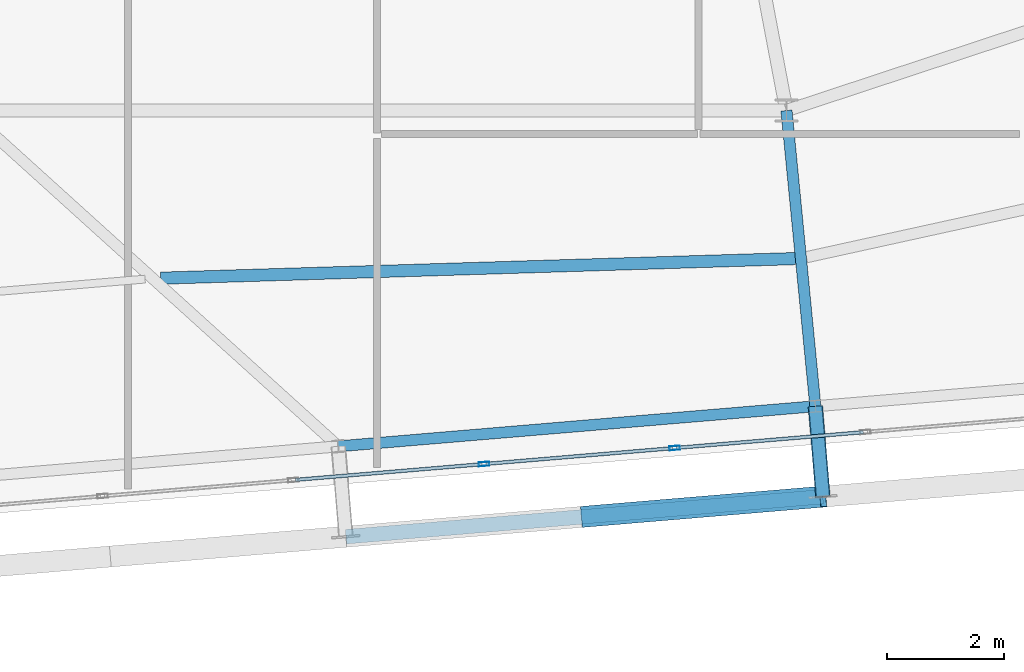
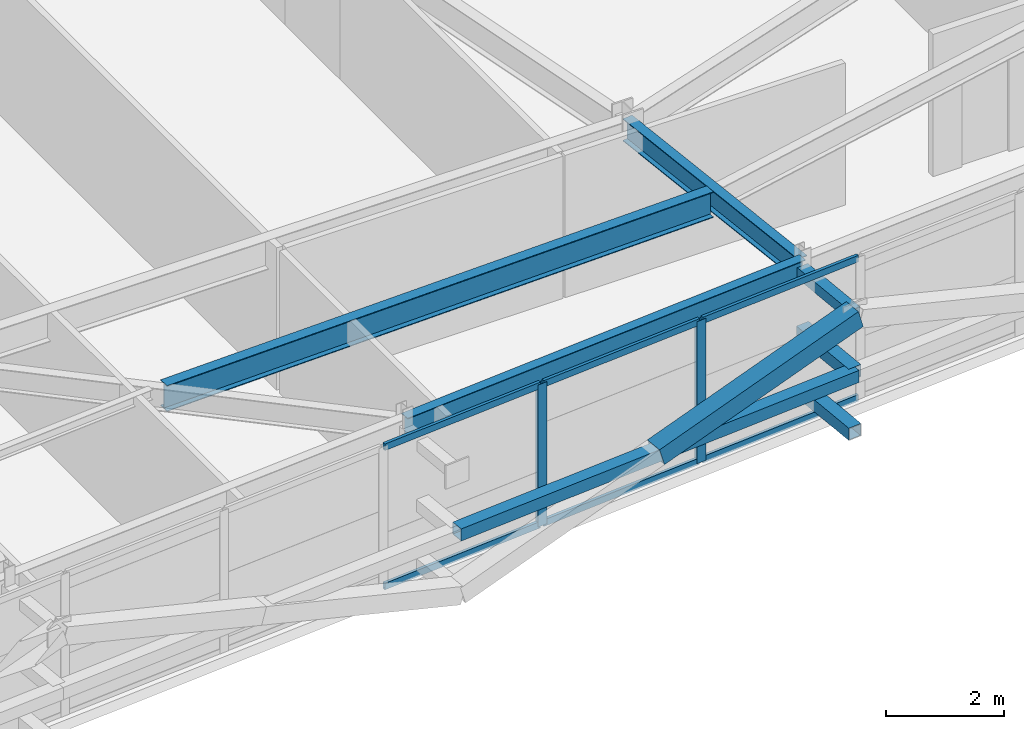
# One storey, part 12 of 44: 13 members, 3 beams, 1 element without a shape of its own.
"""IFC4 building model written with IfcOpenShell, lengths in metres."""

from ifc_helpers import new_model, si_unit, direction, frame, origin, origin_2d, place, context, subcontext, project, spatial, hollow_rectangle, i_section, extrude, source, transform, mapped, material, layer, layer_set, material_profile, profile_set, type_object, element, aggregate, save


model = new_model("IFC4")

# Units and contexts
model_context = context("Model", 3, precision=1e-05, world=origin(), true_north=direction((0.0, 1.0)))
body_context = subcontext(model_context, "Body", "Model", "MODEL_VIEW")
ifc_project = project(units=[si_unit("LENGTHUNIT", "METRE"), si_unit("AREAUNIT", "SQUARE_METRE"), si_unit("VOLUMEUNIT", "CUBIC_METRE"), si_unit("PLANEANGLEUNIT", "RADIAN"), si_unit("MASSUNIT", "GRAM", prefix="KILO")], contexts=[model_context])

# Site, building, storey
site_placement = place(None, origin())
site = spatial("IfcSite", under=ifc_project, at=site_placement, CompositionType="ELEMENT")
building_placement = place(site_placement, origin())
building = spatial("IfcBuilding", under=site, at=building_placement, Name="Taldren Reach Tower", CompositionType="ELEMENT")
storey_placement = place(building_placement, frame((0.0, 0.0, 191.449951171875)))
storey = spatial("IfcBuildingStorey", under=building, at=storey_placement, Name="L58", CompositionType="ELEMENT", Elevation=191.449951171875)

# Members
ifc_material_1 = material(Name="Steel Gr 350 (C350L0)", Category="steel")
ifc_material_profile_1 = material_profile(ifc_material_1, hollow_rectangle(XDim=0.25, YDim=0.25, WallThickness=0.010009765625, at=origin_2d()), Name="250x250x10.0SHS")
ifc_profile_set_1 = profile_set([ifc_material_profile_1], Name="Steel Gr 350 (C350L0)")
member_type_1 = type_object("IfcMemberType", Name="MB-POST250", PredefinedType="POST", material=ifc_profile_set_1)
shared_shape_1 = source(origin(), body_context, "Body", "SweptSolid", [
    extrude(hollow_rectangle(XDim=0.25, YDim=0.25, WallThickness=0.010009765625, at=origin_2d()), origin(), (0.0, 0.0, 1.0), 1.5498046875),
])
for number, where, z_axis, x_axis, name in (
    (1, (42.49365234375, 4.1474609375, 0.219970703125), (0.083645141657, -0.996495604746, 0.0), (0.996495604746, 0.083645141657, 0.0), "Exoskeleton base diaphragm tie strut B4-S4 L58"),
    (2, (42.49365234375, 4.1474609375, 1.43505859375), (0.083645141657, -0.996495604746, 0.0), (0.996495604746, 0.083645141657, 0.0), "Exoskeleton mid-tier diaphragm tie B4-S4 L58"),
):
    element("IfcMember", number, at=place(storey_placement, frame(where, z_axis=z_axis, x_axis=x_axis)), inside=storey, type_object=member_type_1, Name=name, PredefinedType="POST", context=body_context, shape_type="MappedRepresentation", body=[
        mapped(shared_shape_1, transform((0.0, 0.0, 0.0), scale=1.0)),
    ])

# Beams
ifc_material_2 = material(Name="Steel Gr 350 (350PLUS)", Category="steel")
ifc_material_profile_2 = material_profile(ifc_material_2, i_section(OverallWidth=0.18994140625, OverallDepth=0.4541015625, WebThickness=0.008544921875, FlangeThickness=0.0126953125, at=origin_2d()), Name="460UB67.1")
ifc_profile_set_2 = profile_set([ifc_material_profile_2], Name="Steel Gr 350 (350PLUS)")
beam_type_1 = type_object("IfcBeamType", Name="SP-UB460B", PredefinedType="SPANDREL", material=ifc_profile_set_2)
shared_shape_2 = source(origin(), body_context, "Body", "SweptSolid", [
    extrude(i_section(OverallWidth=0.18994140625, OverallDepth=0.4541015625, WebThickness=0.008544921875, FlangeThickness=0.0126953125, at=origin_2d()), origin(), (0.0, 0.0, 1.0), 8.18017578125),
])
beam_1_placement = place(storey_placement, frame((34.34228515625, 3.462890625, 2.703125), z_axis=(0.996492034688, 0.083687662192, 0.0), x_axis=(-0.083687662192, 0.996492034688, 0.0)))
element("IfcBeam", 3, at=beam_1_placement, inside=storey, type_object=beam_type_1, Name="Perimeter spandrel B4 S3-S4 L58", PredefinedType="SPANDREL", context=body_context, shape_type="MappedRepresentation", body=[
    mapped(shared_shape_2, transform((0.0, 0.0, 0.0), scale=1.0)),
])
ifc_material_profile_3 = material_profile(ifc_material_2, i_section(OverallWidth=0.19091796875, OverallDepth=0.4599609375, WebThickness=0.010009765625, FlangeThickness=0.01611328125, at=origin_2d()), Name="460UB82.1")
ifc_profile_set_3 = profile_set([ifc_material_profile_3], Name="Steel Gr 350 (350PLUS)")
beam_type_2 = type_object("IfcBeamType", Name="BM-UB460A", PredefinedType="BEAM", material=ifc_profile_set_3)
shared_shape_3 = source(origin(), body_context, "Body", "SweptSolid", [
    extrude(i_section(OverallWidth=0.19091796875, OverallDepth=0.4599609375, WebThickness=0.010009765625, FlangeThickness=0.01611328125, at=origin_2d()), origin(), (0.0, 0.0, 1.0), 5.07666015625),
])
beam_2_placement = place(storey_placement, frame((42.0, 9.199951171875, 2.699951171875), z_axis=(0.097241716644, -0.995260794236, 0.0), x_axis=(0.995260794236, 0.097241716644, 0.0)))
element("IfcBeam", 4, at=beam_2_placement, inside=storey, type_object=beam_type_2, Name="Primary floor girder B4-S4 L58", PredefinedType="BEAM", context=body_context, shape_type="MappedRepresentation", body=[
    mapped(shared_shape_3, transform((0.0, 0.0, 0.0), scale=1.0)),
])
ifc_material_profile_4 = material_profile(ifc_material_2, i_section(OverallWidth=0.208984375, OverallDepth=0.532958984375, WebThickness=0.01025390625, FlangeThickness=0.015625, at=origin_2d()), Name="530UB92.4")
ifc_profile_set_4 = profile_set([ifc_material_profile_4], Name="Steel Gr 350 (350PLUS)")
beam_type_3 = type_object("IfcBeamType", Name="BM-UB530A", PredefinedType="BEAM", material=ifc_profile_set_4)
shared_shape_4 = source(origin(), body_context, "Body", "SweptSolid", [
    extrude(i_section(OverallWidth=0.208984375, OverallDepth=0.532958984375, WebThickness=0.01025390625, FlangeThickness=0.015625, at=origin_2d()), origin(), (0.0, 0.0, 1.0), 10.847412109375),
])
beam_3_placement = place(storey_placement, frame((31.308837890625, 6.335693359375, 2.66357421875), z_axis=(0.999522428572, 0.030901695439, 0.0), x_axis=(-0.030901695439, 0.999522428572, 0.0)))
element("IfcBeam", 5, at=beam_3_placement, inside=storey, type_object=beam_type_3, Name="Secondary floor beam B4 J3 L58", PredefinedType="BEAM", context=body_context, shape_type="MappedRepresentation", body=[
    mapped(shared_shape_4, transform((0.0, 0.0, 0.0), scale=1.0)),
])

# Members
ifc_material_3 = material(Name="Steel Gr 450 (C450L0)", Category="steel")
ifc_material_profile_5 = material_profile(ifc_material_3, hollow_rectangle(XDim=0.219970703125, YDim=0.219970703125, WallThickness=0.00830078125, at=origin_2d()), Name="220x220x8.2SHS")
ifc_profile_set_5 = profile_set([ifc_material_profile_5], Name="Steel Gr 450 (C450L0)")
member_type_2 = type_object("IfcMemberType", Name="MB-TIE219", PredefinedType="STRUT", material=ifc_profile_set_5)
shared_shape_5 = source(origin(), body_context, "Body", "SweptSolid", [
    extrude(hollow_rectangle(XDim=0.219970703125, YDim=0.219970703125, WallThickness=0.00830078125, at=origin_2d()), origin(), (0.0, 0.0, 1.0), 1.5498046875),
])
member_1_placement = place(storey_placement, frame((42.49365234375, 4.1474609375, 2.650146484375), z_axis=(0.083645141657, -0.996495604746, 0.0), x_axis=(0.996495604746, 0.083645141657, 0.0)))
element("IfcMember", 6, at=member_1_placement, inside=storey, type_object=member_type_2, Name="Exoskeleton diaphragm tie strut B4-S4 L58", PredefinedType="STRUT", context=body_context, shape_type="MappedRepresentation", body=[
    mapped(shared_shape_5, transform((0.0, 0.0, 0.0), scale=1.0)),
])
shared_shape_6 = source(origin(), body_context, "Body", "SweptSolid", [
    extrude(hollow_rectangle(XDim=0.25, YDim=0.25, WallThickness=0.010009765625, at=origin_2d()), origin(), (0.0, 0.0, 1.0), 8.18017578125),
])
member_2_placement = place(storey_placement, frame((34.471923828125, 1.91845703125, 1.43505859375), z_axis=(0.996492034688, 0.083687662192, 0.0), x_axis=(-0.083687662192, 0.996492034688, 0.0)))
element("IfcMember", 7, at=member_2_placement, inside=storey, type_object=member_type_1, Name="Exoskeleton mid-height ring chord B4-S3 L58", PredefinedType="POST", context=body_context, shape_type="MappedRepresentation", body=[
    mapped(shared_shape_6, transform((0.0, 0.0, 0.0), scale=1.0)),
])
ifc_material_profile_6 = material_profile(ifc_material_3, hollow_rectangle(XDim=0.360107421875, YDim=0.360107421875, WallThickness=0.0126953125, at=origin_2d()), Name="360x360x12.7SHS")
ifc_profile_set_6 = profile_set([ifc_material_profile_6], Name="Steel Gr 450 (C450L0)")
member_type_3 = type_object("IfcMemberType", Name="MB-EXO356", PredefinedType="BRACE", material=ifc_profile_set_6)
shared_shape_7 = source(origin(), body_context, "Body", "SweptSolid", [
    extrude(hollow_rectangle(XDim=0.360107421875, YDim=0.360107421875, WallThickness=0.0126953125, at=origin_2d()), origin(), (0.0, 0.0, 1.0), 4.2666015625),
])
member_3_placement = place(storey_placement, frame((38.547607421875, 2.2607421875, 1.43505859375), z_axis=(0.955229159097, 0.080222312271, 0.284783486572), x_axis=(-0.083687662192, 0.996492034688, 0.0)))
element("IfcMember", 8, at=member_3_placement, inside=storey, type_object=member_type_3, Name="Exoskeleton Diagrid Brace B4-S3 L58", PredefinedType="BRACE", context=body_context, shape_type="MappedRepresentation", body=[
    mapped(shared_shape_7, transform((0.0, 0.0, 0.0), scale=1.0)),
])

# Curtain wall, members
ifc_material_4 = material(Name="Aluminium and Low-E Glass Unitised System", Category="aluminium")
ifc_layer = layer(ifc_material_4, 0.159912109375)
ifc_layer_set = layer_set([ifc_layer], Name="Aluminium and Low-E Glass Unitised System")
curtain_wall_type = type_object("IfcCurtainWallType", Name="CW-SYS-5", PredefinedType="NOTDEFINED", material=ifc_layer_set)
curtain_wall_placement = place(storey_placement, origin())
curtain_wall = element("IfcCurtainWall", 9, at=curtain_wall_placement, inside=storey, type_object=curtain_wall_type, Name="Unitised curtain wall CW-L58-S", PredefinedType="NOTDEFINED")
ifc_material_5 = material(Name="Anodised Aluminium 6063-T6", Category="aluminium")
ifc_material_profile_7 = material_profile(ifc_material_5, hollow_rectangle(XDim=0.070068359375, YDim=0.179931640625, WallThickness=0.00390625, at=origin_2d()), Name="ALU-180x70x4RHS")
ifc_profile_set_7 = profile_set([ifc_material_profile_7], Name="Anodised Aluminium 6063-T6")
member_type_4 = type_object("IfcMemberType", Name="CW-MUL-180", PredefinedType="MULLION", material=ifc_profile_set_7)
shared_shape_8 = source(origin(), body_context, "Body", "SweptSolid", [
    extrude(hollow_rectangle(XDim=0.070068359375, YDim=0.179931640625, WallThickness=0.00390625, at=origin_2d()), origin(), (0.0, 0.0, 1.0), 2.929931640625),
])
member_4_placement = place(storey_placement, frame((36.831787109375, 3.16015625, 0.0), z_axis=(0.0, 0.0, 1.0), x_axis=(-0.083677894865, 0.996492854922, 0.0)))
member_4 = element("IfcMember", 10, at=member_4_placement, type_object=member_type_4, Name="CW-5 mullion 7", PredefinedType="MULLION", context=body_context, shape_type="MappedRepresentation", body=[
    mapped(shared_shape_8, transform((0.0, 0.0, 0.0), scale=1.0)),
])
member_5_placement = place(storey_placement, frame((40.089599609375, 3.433837890625, 0.0), z_axis=(0.0, 0.0, 1.0), x_axis=(-0.083677894865, 0.996492854922, 0.0)))
member_5 = element("IfcMember", 11, at=member_5_placement, type_object=member_type_4, Name="CW-5 mullion 8", PredefinedType="MULLION", context=body_context, shape_type="MappedRepresentation", body=[
    mapped(shared_shape_8, transform((0.0, 0.0, 0.0), scale=1.0)),
])
ifc_material_profile_8 = material_profile(ifc_material_5, hollow_rectangle(XDim=0.06005859375, YDim=0.135009765625, WallThickness=0.00341796875, at=origin_2d()), Name="ALU-135x60x3.5RHS")
ifc_profile_set_8 = profile_set([ifc_material_profile_8], Name="Anodised Aluminium 6063-T6")
member_type_5 = type_object("IfcMemberType", Name="CW-TRN-150", PredefinedType="USERDEFINED", material=ifc_profile_set_8)
shared_shape_9 = source(origin(), body_context, "Body", "SweptSolid", [
    extrude(hollow_rectangle(XDim=0.06005859375, YDim=0.135009765625, WallThickness=0.00341796875, at=origin_2d()), origin(), (0.0, 0.0, 1.0), 3.19921875),
])
member_6_placement = place(storey_placement, frame((33.60888671875, 2.8896484375, 0.030029296875), z_axis=(0.996496109493, 0.083639128198, 0.0), x_axis=(-0.083639128198, 0.996496109493, 0.0)))
member_6 = element("IfcMember", 12, at=member_6_placement, type_object=member_type_5, Name="CW-5 transom 6.1", ObjectType="TRANSOM", PredefinedType="USERDEFINED", context=body_context, shape_type="MappedRepresentation", body=[
    mapped(shared_shape_9, transform((0.0, 0.0, 0.0), scale=1.0)),
])
member_7_placement = place(storey_placement, frame((33.60888671875, 2.8896484375, 2.900146484375), z_axis=(0.996496109493, 0.083639128198, 0.0), x_axis=(-0.083639128198, 0.996496109493, 0.0)))
member_7 = element("IfcMember", 13, at=member_7_placement, type_object=member_type_5, Name="CW-5 transom 6.2", ObjectType="TRANSOM", PredefinedType="USERDEFINED", context=body_context, shape_type="MappedRepresentation", body=[
    mapped(shared_shape_9, transform((0.0, 0.0, 0.0), scale=1.0)),
])
member_8_placement = place(storey_placement, frame((36.86669921875, 3.1630859375, 0.030029296875), z_axis=(0.996489746258, 0.083714906697, 0.0), x_axis=(-0.083714906697, 0.996489746258, 0.0)))
member_8 = element("IfcMember", 14, at=member_8_placement, type_object=member_type_5, Name="CW-5 transom 7.1", ObjectType="TRANSOM", PredefinedType="USERDEFINED", context=body_context, shape_type="MappedRepresentation", body=[
    mapped(shared_shape_9, transform((0.0, 0.0, 0.0), scale=1.0)),
])
member_9_placement = place(storey_placement, frame((36.86669921875, 3.1630859375, 2.900146484375), z_axis=(0.996489746258, 0.083714906697, 0.0), x_axis=(-0.083714906697, 0.996489746258, 0.0)))
member_9 = element("IfcMember", 15, at=member_9_placement, type_object=member_type_5, Name="CW-5 transom 7.2", ObjectType="TRANSOM", PredefinedType="USERDEFINED", context=body_context, shape_type="MappedRepresentation", body=[
    mapped(shared_shape_9, transform((0.0, 0.0, 0.0), scale=1.0)),
])
member_10_placement = place(storey_placement, frame((40.124267578125, 3.436767578125, 0.030029296875), z_axis=(0.996496109493, 0.083639128198, 0.0), x_axis=(-0.083639128198, 0.996496109493, 0.0)))
member_10 = element("IfcMember", 16, at=member_10_placement, type_object=member_type_5, Name="CW-5 transom 8.1", ObjectType="TRANSOM", PredefinedType="USERDEFINED", context=body_context, shape_type="MappedRepresentation", body=[
    mapped(shared_shape_9, transform((0.0, 0.0, 0.0), scale=1.0)),
])
member_11_placement = place(storey_placement, frame((40.124267578125, 3.436767578125, 2.900146484375), z_axis=(0.996496109493, 0.083639128198, 0.0), x_axis=(-0.083639128198, 0.996496109493, 0.0)))
member_11 = element("IfcMember", 17, at=member_11_placement, type_object=member_type_5, Name="CW-5 transom 8.2", ObjectType="TRANSOM", PredefinedType="USERDEFINED", context=body_context, shape_type="MappedRepresentation", body=[
    mapped(shared_shape_9, transform((0.0, 0.0, 0.0), scale=1.0)),
])
aggregate(curtain_wall, [member_4, member_5, member_6, member_7, member_8, member_9, member_10, member_11])

save(model, "model.ifc")
